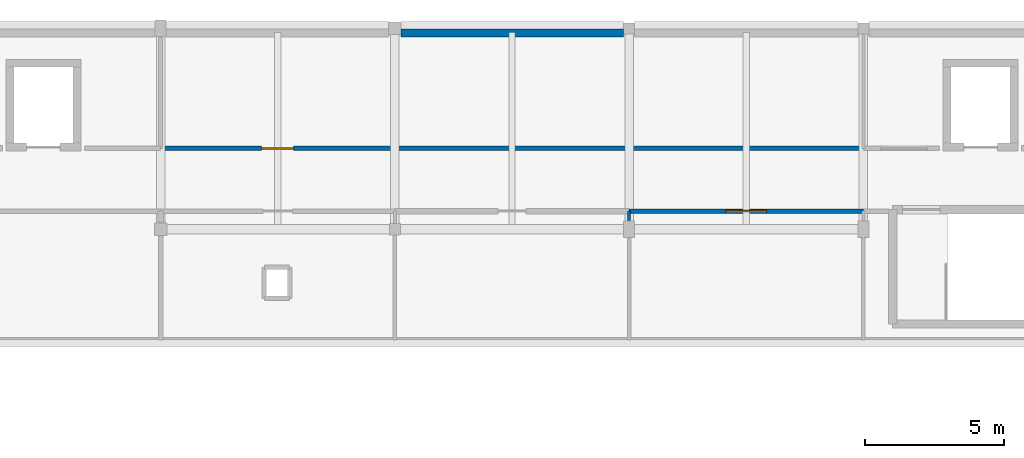
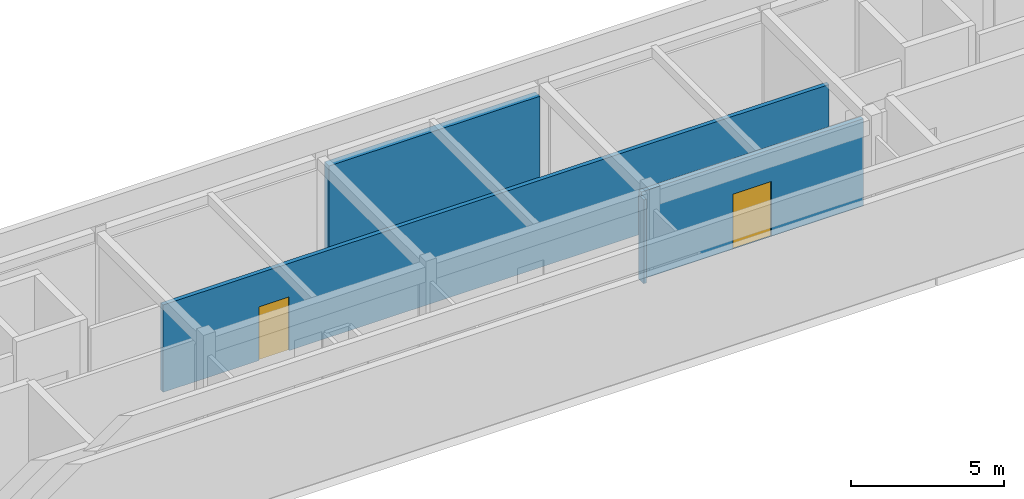
# One storey, part 3 of 6: 4 walls, 2 doors, 2 openings.
"""IFC4 building model written with IfcOpenShell, lengths in metres."""

from ifc_helpers import new_model, si_unit, direction, frame, frame_2d, origin, place, context, subcontext, project, spatial, rectangle, extrude, material, layer, layer_set, type_object, element, fill, save


model = new_model("IFC4")

# Units and contexts
model_context = context("Model", 3, precision=1e-05, world=origin(), true_north=direction((0.0, 1.0)))
body_context = subcontext(model_context, "Body", "Model", "MODEL_VIEW")
ifc_project = project(units=[si_unit("LENGTHUNIT", "METRE"), si_unit("AREAUNIT", "SQUARE_METRE"), si_unit("VOLUMEUNIT", "CUBIC_METRE"), si_unit("PLANEANGLEUNIT", "RADIAN"), si_unit("MASSUNIT", "GRAM", prefix="KILO")], contexts=[model_context])

# Site, building, storey
site_placement = place(None, origin())
site = spatial("IfcSite", under=ifc_project, at=site_placement, CompositionType="ELEMENT")
building_placement = place(site_placement, origin())
building = spatial("IfcBuilding", under=site, at=building_placement, Name="Malvenik Polytechnic", CompositionType="ELEMENT")
storey_placement = place(building_placement, frame((0.0, 0.0, 26.10009765625)))
storey = spatial("IfcBuildingStorey", under=building, at=storey_placement, Name="L06", CompositionType="ELEMENT", Elevation=26.10009765625)

# Walls
ifc_material_1 = material(Name="Brick masonry M15", Category="masonry")
ifc_layer_1 = layer(ifc_material_1, 0.2900390625)
ifc_layer_set_1 = layer_set([ifc_layer_1], Name="Brick masonry M15")
wall_type_1 = type_object("IfcWallType", Name="ARC-EW-290", PredefinedType="SOLIDWALL", material=ifc_layer_set_1)
wall_1_placement = place(storey_placement, frame((33.822998046875, 129.429931640625, 0.0), z_axis=(0.0, 0.0, 1.0), x_axis=(1.0, 0.0, 0.0)))
element("IfcWall", 1, at=wall_1_placement, inside=storey, type_object=wall_type_1, Name="External Facade Wall EW-04 L06 #498", PredefinedType="SOLIDWALL", context=body_context, shape_type="SweptSolid", body=[
    extrude(rectangle(XDim=7.97900390625, YDim=0.2900390625, at=frame_2d((3.989501953125, 0.0))), origin(), (0.0, 0.0, 1.0), 3.56982421875),
])
ifc_material_2 = material(Name="Lightweight gypsum partition 110mm", Category="gypsum")
ifc_layer_2 = layer(ifc_material_2, 0.110107421875)
ifc_layer_set_2 = layer_set([ifc_layer_2], Name="Lightweight gypsum partition 110mm")
wall_type_2 = type_object("IfcWallType", Name="ARC-PW-110", PredefinedType="PARTITIONING", material=ifc_layer_set_2)
wall_2_placement = place(storey_placement, frame((42.0, 122.719970703125, 0.0), z_axis=(0.0, 0.0, 1.0), x_axis=(0.0, 1.0, 0.0)))
element("IfcWall", 2, at=wall_2_placement, inside=storey, type_object=wall_type_2, Name="Interior Partition PW-04I L06 #434", PredefinedType="PARTITIONING", context=body_context, shape_type="SweptSolid", body=[
    extrude(rectangle(XDim=0.330078125, YDim=0.110107421875, at=frame_2d((0.1650390625, 0.0))), origin(), (0.0, 0.0, 1.0), 3.344970703125),
])

# Wall, opening, door
ifc_material_3 = material(Name="Double-stud acoustic gypsum board partition 160mm", Category="gypsum")
ifc_layer_3 = layer(ifc_material_3, 0.159912109375)
ifc_layer_set_3 = layer_set([ifc_layer_3], Name="Double-stud acoustic gypsum board partition 160mm")
wall_type_3 = type_object("IfcWallType", Name="ARC-PW-160", PredefinedType="PARTITIONING", material=ifc_layer_set_3)
wall_3_placement = place(storey_placement, frame((25.199951171875, 125.300048828125, 0.0), z_axis=(0.0, 0.0, 1.0), x_axis=(1.0, 0.0, 0.0)))
wall_3 = element("IfcWall", 3, at=wall_3_placement, inside=storey, type_object=wall_type_3, Name="Interior Partition PW-01I L06 #421", PredefinedType="PARTITIONING", context=body_context, shape_type="SweptSolid", body=[
    extrude(rectangle(XDim=25.199951171875, YDim=0.159912109375, at=frame_2d((12.60009765625, 0.0))), origin(), (0.0, 0.0, 1.0), 3.494873046875),
])
opening_1_placement = place(wall_3_placement, frame((3.625, 0.0, 0.0)))
opening_1 = element("IfcOpeningElement", 4, at=opening_1_placement, cuts=wall_3, Name="Opening FD-01", PredefinedType="OPENING", context=body_context, shape_type="SweptSolid", body=[
    extrude(rectangle(XDim=1.14990234375, YDim=2.14990234375, at=frame_2d((0.574951171875, 1.074951171875))), frame((0.0, 0.08984375, 0.0), z_axis=(0.0, -1.0, 0.0), x_axis=(1.0, 0.0, 0.0)), (0.0, 0.0, 1.0), 0.179931640625),
])
ifc_material_4 = material(Name="Fire-rated timber acoustic corridor door", Category="wood")
door_type_1 = type_object("IfcDoorType", Name="ARC-IDR-FD-01", OperationType="NOTDEFINED", PredefinedType="DOOR", material=ifc_material_4)
door_1_placement = place(opening_1_placement, origin())
door_1 = element("IfcDoor", 5, at=door_1_placement, inside=storey, type_object=door_type_1, Name="Interior Door FD-01 L06 #176", OperationType="SINGLE_SWING_LEFT", OverallHeight=2.14990234375, OverallWidth=1.14990234375, PredefinedType="DOOR", context=body_context, shape_type="SweptSolid", body=[
    extrude(rectangle(XDim=1.14990234375, YDim=2.14990234375, at=frame_2d((0.574951171875, 1.074951171875))), frame((0.0, 0.02490234375, 0.0), z_axis=(0.0, -1.0, 0.0), x_axis=(1.0, 0.0, 0.0)), (0.0, 0.0, 1.0), 0.050048828125),
])
fill(opening_1, door_1)

wall_4_placement = place(storey_placement, frame((50.39990234375, 123.050048828125, 0.0), z_axis=(0.0, 0.0, 1.0), x_axis=(-1.0, 0.0, 0.0)))
wall_4 = element("IfcWall", 6, at=wall_4_placement, inside=storey, type_object=wall_type_3, Name="Interior Partition PW-01I L06 #435", PredefinedType="PARTITIONING", context=body_context, shape_type="SweptSolid", body=[
    extrude(rectangle(XDim=8.39990234375, YDim=0.159912109375, at=frame_2d((4.199951171875, 0.0))), origin(), (0.0, 0.0, 1.0), 3.494873046875),
])
opening_2_placement = place(wall_4_placement, frame((3.47509765625, 0.0, 0.0)))
opening_2 = element("IfcOpeningElement", 7, at=opening_2_placement, cuts=wall_4, Name="Opening FD-08", PredefinedType="OPENING", context=body_context, shape_type="SweptSolid", body=[
    extrude(rectangle(XDim=1.449951171875, YDim=2.199951171875, at=frame_2d((0.72509765625, 1.10009765625))), frame((0.0, 0.08984375, 0.0), z_axis=(0.0, -1.0, 0.0), x_axis=(1.0, 0.0, 0.0)), (0.0, 0.0, 1.0), 0.179931640625),
])
ifc_material_5 = material(Name="Fire-rated seminar corridor door", Category="steel")
door_type_2 = type_object("IfcDoorType", Name="ARC-IDR-FD-08", OperationType="NOTDEFINED", PredefinedType="DOOR", material=ifc_material_5)
door_2_placement = place(opening_2_placement, origin())
door_2 = element("IfcDoor", 8, at=door_2_placement, inside=storey, type_object=door_type_2, Name="Interior Door FD-08 L06 #181", OperationType="SINGLE_SWING_LEFT", OverallHeight=2.199951171875, OverallWidth=1.449951171875, PredefinedType="DOOR", context=body_context, shape_type="SweptSolid", body=[
    extrude(rectangle(XDim=1.449951171875, YDim=2.199951171875, at=frame_2d((0.72509765625, 1.10009765625))), frame((0.0, 0.02490234375, 0.0), z_axis=(0.0, -1.0, 0.0), x_axis=(1.0, 0.0, 0.0)), (0.0, 0.0, 1.0), 0.050048828125),
])
fill(opening_2, door_2)

save(model, "model.ifc")
